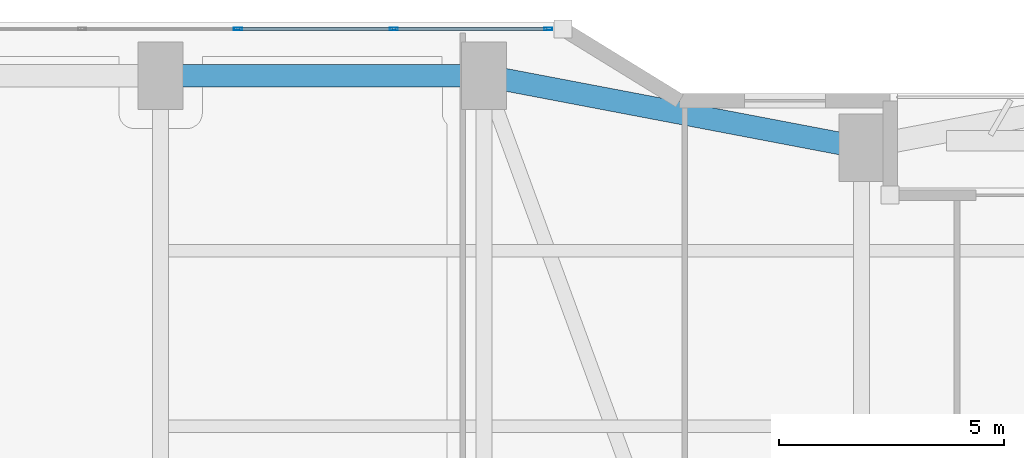
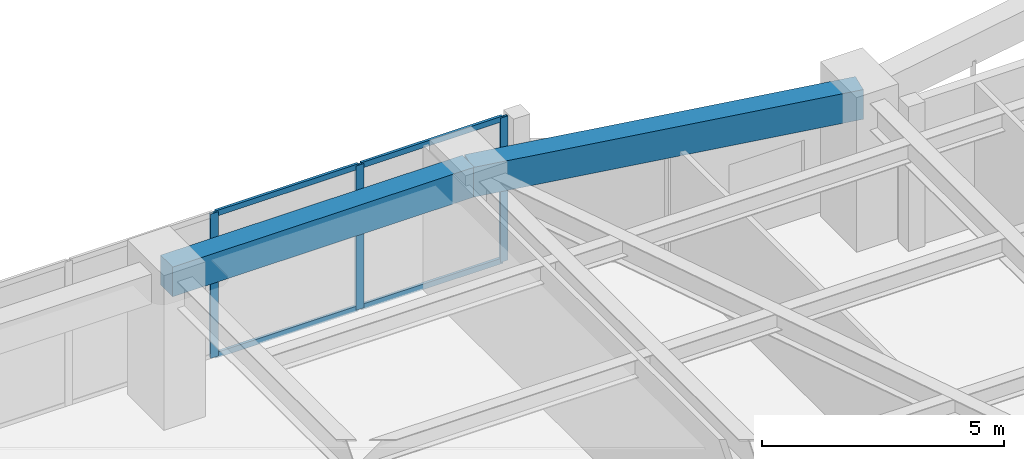
# One storey, part 17 of 28: 7 members, 2 beams, 1 element without a shape of its own.
"""IFC4 building model written with IfcOpenShell, lengths in metres."""

from ifc_helpers import new_model, si_unit, direction, frame, origin, origin_2d, place, context, subcontext, project, spatial, rectangle, hollow_rectangle, extrude, material, layer, layer_set, material_profile, profile_set, type_object, element, aggregate, save


model = new_model("IFC4")

# Units and contexts
model_context = context("Model", 3, precision=1e-05, world=origin(), true_north=direction((0.0, 1.0)))
body_context = subcontext(model_context, "Body", "Model", "MODEL_VIEW")
ifc_project = project(units=[si_unit("LENGTHUNIT", "METRE"), si_unit("AREAUNIT", "SQUARE_METRE"), si_unit("VOLUMEUNIT", "CUBIC_METRE"), si_unit("PLANEANGLEUNIT", "RADIAN"), si_unit("MASSUNIT", "GRAM", prefix="KILO")], contexts=[model_context])

# Site, building, storey
site_placement = place(None, origin())
site = spatial("IfcSite", under=ifc_project, at=site_placement, CompositionType="ELEMENT")
building_placement = place(site_placement, origin())
building = spatial("IfcBuilding", under=site, at=building_placement, Name="Kiyonajd Concourse Tower", CompositionType="ELEMENT")
storey_placement = place(building_placement, frame((0.0, 0.0, 37.199951171875)))
storey = spatial("IfcBuildingStorey", under=building, at=storey_placement, Name="L10", CompositionType="ELEMENT", Elevation=37.199951171875)

# Beams
ifc_material_1 = material(Name="Precast concrete C50/60", Category="concrete")
ifc_material_profile_1 = material_profile(ifc_material_1, rectangle(XDim=0.5, YDim=0.75, at=origin_2d()), Name="RCBM-500x750")
ifc_profile_set_1 = profile_set([ifc_material_profile_1], Name="Precast concrete C50/60")
beam_type = type_object("IfcBeamType", Name="BM-SPAN-RC", PredefinedType="SPANDREL", material=ifc_profile_set_1)
beam_1_placement = place(storey_placement, frame((48.0, 59.60009765625, 3.26513671875), z_axis=(-0.982341315253, 0.187097675953, 0.0), x_axis=(-0.187097675953, -0.982341315253, 0.0)))
element("IfcBeam", 1, at=beam_1_placement, inside=storey, type_object=beam_type, Name="L10 Perimeter Bundled Tube Spandrel", PredefinedType="SPANDREL", context=body_context, shape_type="SweptSolid", body=[
    extrude(rectangle(XDim=0.5, YDim=0.75, at=origin_2d()), origin(), (0.0, 0.0, 1.0), 8.55078125),
])
beam_2_placement = place(storey_placement, frame((39.60009765625, 61.199951171875, 3.26513671875), z_axis=(-1.0, 0.0, 0.0), x_axis=(0.0, -1.0, 0.0)))
element("IfcBeam", 2, at=beam_2_placement, inside=storey, type_object=beam_type, Name="L10 Perimeter Bundled Tube Spandrel", PredefinedType="SPANDREL", context=body_context, shape_type="SweptSolid", body=[
    extrude(rectangle(XDim=0.5, YDim=0.75, at=origin_2d()), origin(), (0.0, 0.0, 1.0), 7.2001953125),
])

# Curtain wall, members
ifc_material_2 = material(Name="Thermally Broken Anodised Aluminium", Category="aluminium")
ifc_layer = layer(ifc_material_2, 0.179931640625)
ifc_layer_set = layer_set([ifc_layer], Name="Thermally Broken Anodised Aluminium")
curtain_wall_type = type_object("IfcCurtainWallType", Name="CW-SYS-02", PredefinedType="NOTDEFINED", material=ifc_layer_set)
curtain_wall_placement = place(storey_placement, origin())
curtain_wall = element("IfcCurtainWall", 3, at=curtain_wall_placement, inside=storey, type_object=curtain_wall_type, Name="L10 Unitised Curtain Wall CW2", PredefinedType="NOTDEFINED")
ifc_material_profile_2 = material_profile(ifc_material_2, hollow_rectangle(XDim=0.06494140625, YDim=0.179931640625, WallThickness=0.00390625, at=origin_2d()), Name="MULL-65x180")
ifc_profile_set_2 = profile_set([ifc_material_profile_2], Name="Thermally Broken Anodised Aluminium")
member_type_1 = type_object("IfcMemberType", Name="MB-CW-MULL1", PredefinedType="MULLION", material=ifc_profile_set_2)
member_1_placement = place(storey_placement, frame((34.123291015625, 62.239990234375, 0.0), z_axis=(0.0, 0.0, 1.0), x_axis=(0.0, 1.0, 0.0)))
member_1 = element("IfcMember", 4, at=member_1_placement, type_object=member_type_1, Name="CW2 mullion 4", PredefinedType="MULLION", context=body_context, shape_type="SweptSolid", body=[
    extrude(hollow_rectangle(XDim=0.06494140625, YDim=0.179931640625, WallThickness=0.00390625, at=origin_2d()), origin(), (0.0, 0.0, 1.0), 3.64013671875),
])
member_2_placement = place(storey_placement, frame((37.593994140625, 62.239990234375, 0.0), z_axis=(0.0, 0.0, 1.0), x_axis=(0.0, 1.0, 0.0)))
member_2 = element("IfcMember", 5, at=member_2_placement, type_object=member_type_1, Name="CW2 mullion 5", PredefinedType="MULLION", context=body_context, shape_type="SweptSolid", body=[
    extrude(hollow_rectangle(XDim=0.06494140625, YDim=0.179931640625, WallThickness=0.00390625, at=origin_2d()), origin(), (0.0, 0.0, 1.0), 3.64013671875),
])
member_3_placement = place(storey_placement, frame((41.0322265625, 62.239990234375, 0.0), z_axis=(0.0, 0.0, 1.0), x_axis=(0.0, 1.0, 0.0)))
member_3 = element("IfcMember", 6, at=member_3_placement, type_object=member_type_1, Name="CW2 mullion 6", PredefinedType="MULLION", context=body_context, shape_type="SweptSolid", body=[
    extrude(hollow_rectangle(XDim=0.06494140625, YDim=0.179931640625, WallThickness=0.00390625, at=origin_2d()), origin(), (0.0, 0.0, 1.0), 3.64013671875),
])
ifc_material_profile_3 = material_profile(ifc_material_2, hollow_rectangle(XDim=0.06494140625, YDim=0.139892578125, WallThickness=0.00390625, at=origin_2d()), Name="TRAN-65x140")
ifc_profile_set_3 = profile_set([ifc_material_profile_3], Name="Thermally Broken Anodised Aluminium")
member_type_2 = type_object("IfcMemberType", Name="MB-CW-TRAN1", PredefinedType="USERDEFINED", material=ifc_profile_set_3)
member_4_placement = place(storey_placement, frame((34.15576171875, 62.239990234375, 0.032470703125), z_axis=(1.0, 0.0, 0.0), x_axis=(0.0, 1.0, 0.0)))
member_4 = element("IfcMember", 7, at=member_4_placement, type_object=member_type_2, Name="CW2 transom 4.1", ObjectType="TRANSOM", PredefinedType="USERDEFINED", context=body_context, shape_type="SweptSolid", body=[
    extrude(hollow_rectangle(XDim=0.06494140625, YDim=0.139892578125, WallThickness=0.00390625, at=origin_2d()), origin(), (0.0, 0.0, 1.0), 3.40576171875),
])
member_5_placement = place(storey_placement, frame((34.15576171875, 62.239990234375, 3.607666015625), z_axis=(1.0, 0.0, 0.0), x_axis=(0.0, 1.0, 0.0)))
member_5 = element("IfcMember", 8, at=member_5_placement, type_object=member_type_2, Name="CW2 transom 4.2", ObjectType="TRANSOM", PredefinedType="USERDEFINED", context=body_context, shape_type="SweptSolid", body=[
    extrude(hollow_rectangle(XDim=0.06494140625, YDim=0.139892578125, WallThickness=0.00390625, at=origin_2d()), origin(), (0.0, 0.0, 1.0), 3.40576171875),
])
member_6_placement = place(storey_placement, frame((37.62646484375, 62.239990234375, 0.032470703125), z_axis=(1.0, 0.0, 0.0), x_axis=(0.0, 1.0, 0.0)))
member_6 = element("IfcMember", 9, at=member_6_placement, type_object=member_type_2, Name="CW2 transom 5.1", ObjectType="TRANSOM", PredefinedType="USERDEFINED", context=body_context, shape_type="SweptSolid", body=[
    extrude(hollow_rectangle(XDim=0.06494140625, YDim=0.139892578125, WallThickness=0.00390625, at=origin_2d()), origin(), (0.0, 0.0, 1.0), 3.373291015625),
])
member_7_placement = place(storey_placement, frame((37.62646484375, 62.239990234375, 3.607666015625), z_axis=(1.0, 0.0, 0.0), x_axis=(0.0, 1.0, 0.0)))
member_7 = element("IfcMember", 10, at=member_7_placement, type_object=member_type_2, Name="CW2 transom 5.2", ObjectType="TRANSOM", PredefinedType="USERDEFINED", context=body_context, shape_type="SweptSolid", body=[
    extrude(hollow_rectangle(XDim=0.06494140625, YDim=0.139892578125, WallThickness=0.00390625, at=origin_2d()), origin(), (0.0, 0.0, 1.0), 3.373291015625),
])
aggregate(curtain_wall, [member_1, member_2, member_3, member_4, member_5, member_6, member_7])

save(model, "model.ifc")
